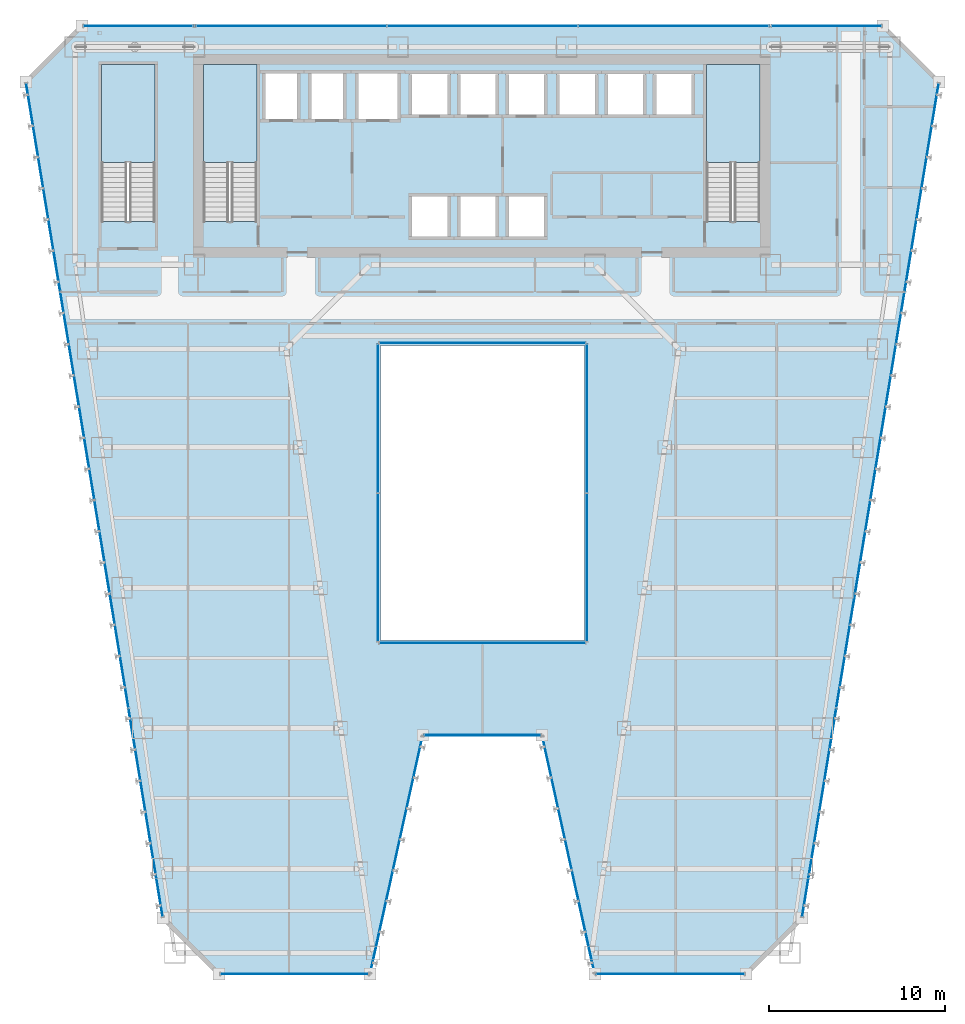
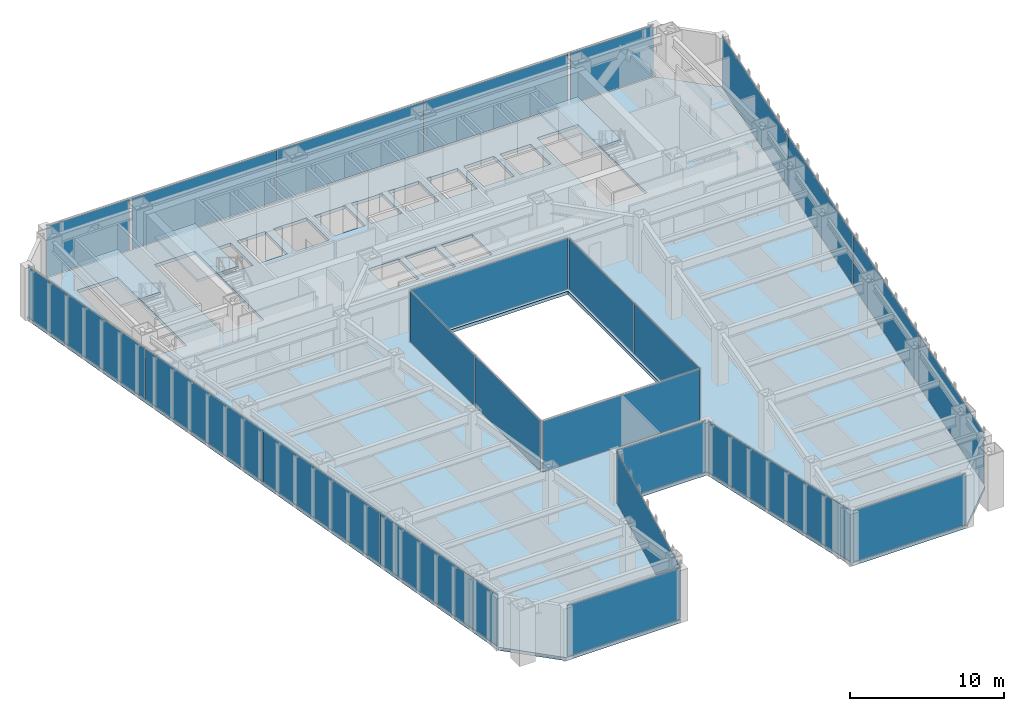
# One storey, part 34 of 49: 24 plates, 4 slabs, 17 elements without a shape of their own.
"""IFC4 building model written with IfcOpenShell, lengths in metres."""

from ifc_helpers import new_model, si_unit, direction, frame, origin, origin_2d, place, context, subcontext, project, spatial, polyline, rectangle, outline, extrude, material, layer, layer_set, type_object, element, aggregate, save


model = new_model("IFC4")

# Units and contexts
model_context = context("Model", 3, precision=1e-05, world=origin(), true_north=direction((0.0, 1.0)))
body_context = subcontext(model_context, "Body", "Model", "MODEL_VIEW")
ifc_project = project(units=[si_unit("LENGTHUNIT", "METRE"), si_unit("AREAUNIT", "SQUARE_METRE"), si_unit("VOLUMEUNIT", "CUBIC_METRE"), si_unit("PLANEANGLEUNIT", "RADIAN"), si_unit("MASSUNIT", "GRAM", prefix="KILO")], contexts=[model_context])

# Site, building, storey
site_placement = place(None, origin())
site = spatial("IfcSite", under=ifc_project, at=site_placement, CompositionType="ELEMENT")
building_placement = place(site_placement, origin())
building = spatial("IfcBuilding", under=site, at=building_placement, Name="Saevonmaru Cultural Tower", CompositionType="ELEMENT")
storey_placement = place(building_placement, frame((0.0, 0.0, 73.60009765625)))
storey = spatial("IfcBuildingStorey", under=building, at=storey_placement, Name="L15", CompositionType="ELEMENT", Elevation=73.60009765625)

# Curtain wall, plate
ifc_material_1 = material(Name="Satin Bronze Anodised Aluminium", Category="aluminium")
curtain_wall_type_1 = type_object("IfcCurtainWallType", Name="CW-ATR-GLZ", PredefinedType="NOTDEFINED", material=ifc_material_1)
curtain_wall_1_placement = place(storey_placement, origin())
curtain_wall_1 = element("IfcCurtainWall", 1, at=curtain_wall_1_placement, inside=storey, type_object=curtain_wall_type_1, Name="L15 Vertical Atrium Glazed Smoke Screen 1", PredefinedType="NOTDEFINED")
ifc_material_2 = material(Name="Fire-Rated Laminated Atrium Glass", Category="glass")
ifc_layer_1 = layer(ifc_material_2, 0.031982421875, Name="Fire-Rated Laminated Atrium Glass")
ifc_layer_set_1 = layer_set([ifc_layer_1], Name="Fire-Rated Laminated Atrium Glass")
plate_type_1 = type_object("IfcPlateType", Name="PN-GLZ-ATR-INT", PredefinedType="CURTAIN_PANEL", material=ifc_layer_set_1)
plate_1_placement = place(storey_placement, frame((30.0, 20.85009765625, 0.06689453125), z_axis=(0.0, 0.0, 1.0), x_axis=(1.0, 0.0, 0.0)))
plate_1 = element("IfcPlate", 2, at=plate_1_placement, type_object=plate_type_1, Name="CW-ATR-L15-1 panel 1.1", PredefinedType="CURTAIN_PANEL", context=body_context, shape_type="SweptSolid", body=[
    extrude(rectangle(XDim=11.7109375, YDim=0.031982421875, at=origin_2d()), origin(), (0.0, 0.0, 1.0), 4.01611328125),
])
aggregate(curtain_wall_1, [plate_1])

# Curtain wall, plates
curtain_wall_2_placement = place(storey_placement, origin())
curtain_wall_2 = element("IfcCurtainWall", 3, at=curtain_wall_2_placement, inside=storey, type_object=curtain_wall_type_1, Name="L15 Vertical Atrium Glazed Smoke Screen 2", PredefinedType="NOTDEFINED")
plate_2_placement = place(storey_placement, frame((35.949951171875, 25.155029296875, 0.06689453125), z_axis=(0.0, 0.0, 1.0), x_axis=(0.0, 1.0, 0.0)))
plate_2 = element("IfcPlate", 4, at=plate_2_placement, type_object=plate_type_1, Name="CW-ATR-L15-2 panel 1.1", PredefinedType="CURTAIN_PANEL", context=body_context, shape_type="SweptSolid", body=[
    extrude(rectangle(XDim=8.4208984375, YDim=0.031982421875, at=origin_2d()), origin(), (0.0, 0.0, 1.0), 4.01611328125),
])
plate_3_placement = place(storey_placement, frame((35.949951171875, 33.64501953125, 0.06689453125), z_axis=(0.0, 0.0, 1.0), x_axis=(0.0, 1.0, 0.0)))
plate_3 = element("IfcPlate", 5, at=plate_3_placement, type_object=plate_type_1, Name="CW-ATR-L15-2 panel 2.1", PredefinedType="CURTAIN_PANEL", context=body_context, shape_type="SweptSolid", body=[
    extrude(rectangle(XDim=8.4208984375, YDim=0.031982421875, at=origin_2d()), origin(), (0.0, 0.0, 1.0), 4.01611328125),
])
aggregate(curtain_wall_2, [plate_2, plate_3])

# Curtain wall, plate
curtain_wall_3_placement = place(storey_placement, origin())
curtain_wall_3 = element("IfcCurtainWall", 6, at=curtain_wall_3_placement, inside=storey, type_object=curtain_wall_type_1, Name="L15 Vertical Atrium Glazed Smoke Screen 3", PredefinedType="NOTDEFINED")
plate_4_placement = place(storey_placement, frame((30.0, 37.949951171875, 0.06689453125), z_axis=(0.0, 0.0, 1.0), x_axis=(-1.0, 0.0, 0.0)))
plate_4 = element("IfcPlate", 7, at=plate_4_placement, type_object=plate_type_1, Name="CW-ATR-L15-3 panel 1.1", PredefinedType="CURTAIN_PANEL", context=body_context, shape_type="SweptSolid", body=[
    extrude(rectangle(XDim=11.7109375, YDim=0.031982421875, at=origin_2d()), origin(), (0.0, 0.0, 1.0), 4.01611328125),
])
aggregate(curtain_wall_3, [plate_4])

# Curtain wall, plates
curtain_wall_4_placement = place(storey_placement, origin())
curtain_wall_4 = element("IfcCurtainWall", 8, at=curtain_wall_4_placement, inside=storey, type_object=curtain_wall_type_1, Name="L15 Vertical Atrium Glazed Smoke Screen 4", PredefinedType="NOTDEFINED")
plate_5_placement = place(storey_placement, frame((24.050048828125, 33.64501953125, 0.06689453125), z_axis=(0.0, 0.0, 1.0), x_axis=(0.0, -1.0, 0.0)))
plate_5 = element("IfcPlate", 9, at=plate_5_placement, type_object=plate_type_1, Name="CW-ATR-L15-4 panel 1.1", PredefinedType="CURTAIN_PANEL", context=body_context, shape_type="SweptSolid", body=[
    extrude(rectangle(XDim=8.4208984375, YDim=0.031982421875, at=origin_2d()), origin(), (0.0, 0.0, 1.0), 4.01611328125),
])
plate_6_placement = place(storey_placement, frame((24.050048828125, 25.155029296875, 0.06689453125), z_axis=(0.0, 0.0, 1.0), x_axis=(0.0, -1.0, 0.0)))
plate_6 = element("IfcPlate", 10, at=plate_6_placement, type_object=plate_type_1, Name="CW-ATR-L15-4 panel 2.1", PredefinedType="CURTAIN_PANEL", context=body_context, shape_type="SweptSolid", body=[
    extrude(rectangle(XDim=8.4208984375, YDim=0.031982421875, at=origin_2d()), origin(), (0.0, 0.0, 1.0), 4.01611328125),
])
aggregate(curtain_wall_4, [plate_5, plate_6])

# Curtain wall, plate
curtain_wall_type_2 = type_object("IfcCurtainWallType", Name="CW-TYP-A", PredefinedType="NOTDEFINED", material=ifc_material_1)
curtain_wall_5_placement = place(storey_placement, origin())
curtain_wall_5 = element("IfcCurtainWall", 11, at=curtain_wall_5_placement, inside=storey, type_object=curtain_wall_type_2, Name="L15 Unitised Curtain Wall E2", PredefinedType="NOTDEFINED")
ifc_material_3 = material(Name="Triple Silver Low-E Insulating Glass", Category="glass")
ifc_layer_2 = layer(ifc_material_3, 0.035888671875, Name="Triple Silver Low-E Insulating Glass")
ifc_layer_set_2 = layer_set([ifc_layer_2], Name="Triple Silver Low-E Insulating Glass")
plate_type_2 = type_object("IfcPlateType", Name="PN-GLZ-IGU", PredefinedType="CURTAIN_PANEL", material=ifc_layer_set_2)
plate_7_placement = place(storey_placement, frame((19.300048828125, 2.0, 0.06689453125), z_axis=(0.0, 0.0, 1.0), x_axis=(1.0, 0.0, 0.0)))
plate_7 = element("IfcPlate", 12, at=plate_7_placement, type_object=plate_type_2, Name="CW-TW-L15-E2 panel 1.1", PredefinedType="CURTAIN_PANEL", context=body_context, shape_type="SweptSolid", body=[
    extrude(rectangle(XDim=8.410888671875, YDim=0.035888671875, at=origin_2d()), origin(), (0.0, 0.0, 1.0), 4.01611328125),
])
aggregate(curtain_wall_5, [plate_7])

curtain_wall_6_placement = place(storey_placement, origin())
curtain_wall_6 = element("IfcCurtainWall", 13, at=curtain_wall_6_placement, inside=storey, type_object=curtain_wall_type_2, Name="L15 Unitised Curtain Wall E3", PredefinedType="NOTDEFINED")
plate_8_placement = place(storey_placement, frame((25.10009765625, 8.800048828125, 0.06689453125), z_axis=(0.0, 0.0, 1.0), x_axis=(0.215413319953, 0.976522965212, 0.0)))
plate_8 = element("IfcPlate", 14, at=plate_8_placement, type_object=plate_type_2, Name="CW-TW-L15-E3 panel 1.1", PredefinedType="CURTAIN_PANEL", context=body_context, shape_type="SweptSolid", body=[
    extrude(rectangle(XDim=13.738037109375, YDim=0.035888671875, at=origin_2d()), origin(), (0.0, 0.0, 1.0), 4.01611328125),
])
aggregate(curtain_wall_6, [plate_8])

curtain_wall_7_placement = place(storey_placement, origin())
curtain_wall_7 = element("IfcCurtainWall", 15, at=curtain_wall_7_placement, inside=storey, type_object=curtain_wall_type_2, Name="L15 Unitised Curtain Wall E4", PredefinedType="NOTDEFINED")
plate_9_placement = place(storey_placement, frame((30.0, 15.60009765625, 0.06689453125), z_axis=(0.0, 0.0, 1.0), x_axis=(1.0, 0.0, 0.0)))
plate_9 = element("IfcPlate", 16, at=plate_9_placement, type_object=plate_type_2, Name="CW-TW-L15-E4 panel 1.1", PredefinedType="CURTAIN_PANEL", context=body_context, shape_type="SweptSolid", body=[
    extrude(rectangle(XDim=6.611083984375, YDim=0.035888671875, at=origin_2d()), origin(), (0.0, 0.0, 1.0), 4.01611328125),
])
aggregate(curtain_wall_7, [plate_9])

curtain_wall_8_placement = place(storey_placement, origin())
curtain_wall_8 = element("IfcCurtainWall", 17, at=curtain_wall_8_placement, inside=storey, type_object=curtain_wall_type_2, Name="L15 Unitised Curtain Wall E5", PredefinedType="NOTDEFINED")
plate_10_placement = place(storey_placement, frame((34.89990234375, 8.800048828125, 0.06689453125), z_axis=(0.0, 0.0, 1.0), x_axis=(0.215413319953, -0.976522965212, 0.0)))
plate_10 = element("IfcPlate", 18, at=plate_10_placement, type_object=plate_type_2, Name="CW-TW-L15-E5 panel 1.1", PredefinedType="CURTAIN_PANEL", context=body_context, shape_type="SweptSolid", body=[
    extrude(rectangle(XDim=13.738037109375, YDim=0.035888671875, at=origin_2d()), origin(), (0.0, 0.0, 1.0), 4.01611328125),
])
aggregate(curtain_wall_8, [plate_10])

curtain_wall_9_placement = place(storey_placement, origin())
curtain_wall_9 = element("IfcCurtainWall", 19, at=curtain_wall_9_placement, inside=storey, type_object=curtain_wall_type_2, Name="L15 Unitised Curtain Wall E6", PredefinedType="NOTDEFINED")
plate_11_placement = place(storey_placement, frame((40.699951171875, 2.0, 0.06689453125), z_axis=(0.0, 0.0, 1.0), x_axis=(1.0, 0.0, 0.0)))
plate_11 = element("IfcPlate", 20, at=plate_11_placement, type_object=plate_type_2, Name="CW-TW-L15-E6 panel 1.1", PredefinedType="CURTAIN_PANEL", context=body_context, shape_type="SweptSolid", body=[
    extrude(rectangle(XDim=8.410888671875, YDim=0.035888671875, at=origin_2d()), origin(), (0.0, 0.0, 1.0), 4.01611328125),
])
aggregate(curtain_wall_9, [plate_11])

# Curtain wall, plates
curtain_wall_10_placement = place(storey_placement, origin())
curtain_wall_10 = element("IfcCurtainWall", 21, at=curtain_wall_10_placement, inside=storey, type_object=curtain_wall_type_2, Name="L15 Unitised Curtain Wall E8", PredefinedType="NOTDEFINED")
plate_12_placement = place(storey_placement, frame((49.182373046875, 11.1943359375, 0.06689453125), z_axis=(0.0, 0.0, 1.0), x_axis=(0.161708868641, 0.986838508472, 0.0)))
plate_12 = element("IfcPlate", 22, at=plate_12_placement, type_object=plate_type_2, Name="CW-TW-L15-E8 panel 1.1", PredefinedType="CURTAIN_PANEL", context=body_context, shape_type="SweptSolid", body=[
    extrude(rectangle(XDim=11.959716796875, YDim=0.035888671875, at=origin_2d()), origin(), (0.0, 0.0, 1.0), 4.01611328125),
])
plate_13_placement = place(storey_placement, frame((51.12744140625, 23.064697265625, 0.06689453125), z_axis=(0.0, 0.0, 1.0), x_axis=(0.161708868641, 0.986838508472, 0.0)))
plate_13 = element("IfcPlate", 23, at=plate_13_placement, type_object=plate_type_2, Name="CW-TW-L15-E8 panel 2.1", PredefinedType="CURTAIN_PANEL", context=body_context, shape_type="SweptSolid", body=[
    extrude(rectangle(XDim=11.959716796875, YDim=0.035888671875, at=origin_2d()), origin(), (0.0, 0.0, 1.0), 4.01611328125),
])
plate_14_placement = place(storey_placement, frame((53.072509765625, 34.935302734375, 0.06689453125), z_axis=(0.0, 0.0, 1.0), x_axis=(0.161708868641, 0.986838508472, 0.0)))
plate_14 = element("IfcPlate", 24, at=plate_14_placement, type_object=plate_type_2, Name="CW-TW-L15-E8 panel 3.1", PredefinedType="CURTAIN_PANEL", context=body_context, shape_type="SweptSolid", body=[
    extrude(rectangle(XDim=11.959716796875, YDim=0.035888671875, at=origin_2d()), origin(), (0.0, 0.0, 1.0), 4.01611328125),
])
plate_15_placement = place(storey_placement, frame((55.017822265625, 46.8056640625, 0.06689453125), z_axis=(0.0, 0.0, 1.0), x_axis=(0.161708868641, 0.986838508472, 0.0)))
plate_15 = element("IfcPlate", 25, at=plate_15_placement, type_object=plate_type_2, Name="CW-TW-L15-E8 panel 4.1", PredefinedType="CURTAIN_PANEL", context=body_context, shape_type="SweptSolid", body=[
    extrude(rectangle(XDim=11.959716796875, YDim=0.035888671875, at=origin_2d()), origin(), (0.0, 0.0, 1.0), 4.01611328125),
])
aggregate(curtain_wall_10, [plate_12, plate_13, plate_14, plate_15])

curtain_wall_11_placement = place(storey_placement, origin())
curtain_wall_11 = element("IfcCurtainWall", 26, at=curtain_wall_11_placement, inside=storey, type_object=curtain_wall_type_2, Name="L15 North Spine Unitised Curtain Wall E10B", PredefinedType="NOTDEFINED")
plate_16_placement = place(storey_placement, frame((40.893310546875, 56.0, 0.06689453125), z_axis=(0.0, 0.0, 1.0), x_axis=(-1.0, 0.0, 0.0)))
plate_16 = element("IfcPlate", 27, at=plate_16_placement, type_object=plate_type_2, Name="CW-TW-L15-E10B panel 1.1", PredefinedType="CURTAIN_PANEL", context=body_context, shape_type="SweptSolid", body=[
    extrude(rectangle(XDim=10.82421875, YDim=0.035888671875, at=origin_2d()), origin(), (0.0, 0.0, 1.0), 4.01611328125),
])
plate_17_placement = place(storey_placement, frame((30.0, 56.0, 0.06689453125), z_axis=(0.0, 0.0, 1.0), x_axis=(-1.0, 0.0, 0.0)))
plate_17 = element("IfcPlate", 28, at=plate_17_placement, type_object=plate_type_2, Name="CW-TW-L15-E10B panel 2.1", PredefinedType="CURTAIN_PANEL", context=body_context, shape_type="SweptSolid", body=[
    extrude(rectangle(XDim=10.82421875, YDim=0.035888671875, at=origin_2d()), origin(), (0.0, 0.0, 1.0), 4.01611328125),
])
plate_18_placement = place(storey_placement, frame((19.106689453125, 56.0, 0.06689453125), z_axis=(0.0, 0.0, 1.0), x_axis=(-1.0, 0.0, 0.0)))
plate_18 = element("IfcPlate", 29, at=plate_18_placement, type_object=plate_type_2, Name="CW-TW-L15-E10B panel 3.1", PredefinedType="CURTAIN_PANEL", context=body_context, shape_type="SweptSolid", body=[
    extrude(rectangle(XDim=10.82421875, YDim=0.035888671875, at=origin_2d()), origin(), (0.0, 0.0, 1.0), 4.01611328125),
])
aggregate(curtain_wall_11, [plate_16, plate_17, plate_18])

curtain_wall_12_placement = place(storey_placement, origin())
curtain_wall_12 = element("IfcCurtainWall", 30, at=curtain_wall_12_placement, inside=storey, type_object=curtain_wall_type_2, Name="L15 Unitised Curtain Wall E12", PredefinedType="NOTDEFINED")
plate_19_placement = place(storey_placement, frame((4.982177734375, 46.8056640625, 0.06689453125), z_axis=(0.0, 0.0, 1.0), x_axis=(0.161708868641, -0.986838508472, 0.0)))
plate_19 = element("IfcPlate", 31, at=plate_19_placement, type_object=plate_type_2, Name="CW-TW-L15-E12 panel 1.1", PredefinedType="CURTAIN_PANEL", context=body_context, shape_type="SweptSolid", body=[
    extrude(rectangle(XDim=11.959716796875, YDim=0.035888671875, at=origin_2d()), origin(), (0.0, 0.0, 1.0), 4.01611328125),
])
plate_20_placement = place(storey_placement, frame((6.927490234375, 34.935302734375, 0.06689453125), z_axis=(0.0, 0.0, 1.0), x_axis=(0.161708868641, -0.986838508472, 0.0)))
plate_20 = element("IfcPlate", 32, at=plate_20_placement, type_object=plate_type_2, Name="CW-TW-L15-E12 panel 2.1", PredefinedType="CURTAIN_PANEL", context=body_context, shape_type="SweptSolid", body=[
    extrude(rectangle(XDim=11.959716796875, YDim=0.035888671875, at=origin_2d()), origin(), (0.0, 0.0, 1.0), 4.01611328125),
])
plate_21_placement = place(storey_placement, frame((8.87255859375, 23.064697265625, 0.06689453125), z_axis=(0.0, 0.0, 1.0), x_axis=(0.161708868641, -0.986838508472, 0.0)))
plate_21 = element("IfcPlate", 33, at=plate_21_placement, type_object=plate_type_2, Name="CW-TW-L15-E12 panel 3.1", PredefinedType="CURTAIN_PANEL", context=body_context, shape_type="SweptSolid", body=[
    extrude(rectangle(XDim=11.959716796875, YDim=0.035888671875, at=origin_2d()), origin(), (0.0, 0.0, 1.0), 4.01611328125),
])
plate_22_placement = place(storey_placement, frame((10.817626953125, 11.1943359375, 0.06689453125), z_axis=(0.0, 0.0, 1.0), x_axis=(0.161708868641, -0.986838508472, 0.0)))
plate_22 = element("IfcPlate", 34, at=plate_22_placement, type_object=plate_type_2, Name="CW-TW-L15-E12 panel 4.1", PredefinedType="CURTAIN_PANEL", context=body_context, shape_type="SweptSolid", body=[
    extrude(rectangle(XDim=11.959716796875, YDim=0.035888671875, at=origin_2d()), origin(), (0.0, 0.0, 1.0), 4.01611328125),
])
aggregate(curtain_wall_12, [plate_19, plate_20, plate_21, plate_22])

# Curtain wall, plate
curtain_wall_13_placement = place(storey_placement, origin())
curtain_wall_13 = element("IfcCurtainWall", 35, at=curtain_wall_13_placement, inside=storey, type_object=curtain_wall_type_2, Name="L15 East Braced Bay Spandrel Curtain Wall E10A", PredefinedType="NOTDEFINED")
ifc_material_4 = material(Name="Insulated Satin Bronze Aluminium Spandrel Panel", Category="aluminium")
ifc_layer_3 = layer(ifc_material_4, 0.0400390625, Name="Insulated Satin Bronze Aluminium Spandrel Panel")
ifc_layer_set_3 = layer_set([ifc_layer_3], Name="Insulated Satin Bronze Aluminium Spandrel Panel")
plate_type_3 = type_object("IfcPlateType", Name="PN-SPANDREL-BRONZE", PredefinedType="CURTAIN_PANEL", material=ifc_layer_set_3)
plate_23_placement = place(storey_placement, frame((49.60009765625, 56.0, 0.06689453125), z_axis=(0.0, 0.0, 1.0), x_axis=(-1.0, 0.0, 0.0)))
plate_23 = element("IfcPlate", 36, at=plate_23_placement, type_object=plate_type_3, Name="CW-TW-L15-E10A panel 1.1", PredefinedType="CURTAIN_PANEL", context=body_context, shape_type="SweptSolid", body=[
    extrude(rectangle(XDim=6.2109375, YDim=0.035888671875, at=origin_2d()), origin(), (0.0, 0.0, 1.0), 4.01611328125),
])
aggregate(curtain_wall_13, [plate_23])

curtain_wall_14_placement = place(storey_placement, origin())
curtain_wall_14 = element("IfcCurtainWall", 37, at=curtain_wall_14_placement, inside=storey, type_object=curtain_wall_type_2, Name="L15 West Braced Bay Spandrel Curtain Wall E10C", PredefinedType="NOTDEFINED")
plate_24_placement = place(storey_placement, frame((10.39990234375, 56.0, 0.06689453125), z_axis=(0.0, 0.0, 1.0), x_axis=(-1.0, 0.0, 0.0)))
plate_24 = element("IfcPlate", 38, at=plate_24_placement, type_object=plate_type_3, Name="CW-TW-L15-E10C panel 1.1", PredefinedType="CURTAIN_PANEL", context=body_context, shape_type="SweptSolid", body=[
    extrude(rectangle(XDim=6.2109375, YDim=0.035888671875, at=origin_2d()), origin(), (0.0, 0.0, 1.0), 4.01611328125),
])
aggregate(curtain_wall_14, [plate_24])

# Slab
ifc_material_5 = material(Name="Concrete C40/50", Category="concrete")
ifc_layer_4 = layer(ifc_material_5, 0.25, Name="Concrete C40/50")
ifc_layer_set_4 = layer_set([ifc_layer_4], Name="Concrete C40/50")
slab_type_1 = type_object("IfcSlabType", Name="SL-FLR-250", PredefinedType="FLOOR", material=ifc_layer_set_4)
slab_1_placement = place(storey_placement, frame((0.0, 0.0, -0.25)))
element("IfcSlab", 39, at=slab_1_placement, inside=storey, type_object=slab_type_1, Name="L15 Tower Structural Floor Slab", PredefinedType="FLOOR", context=body_context, shape_type="SweptSolid", body=[
    extrude(outline(polyline([(11.800048828125, 5.199951171875), (15.0, 2.0), (23.60009765625, 2.0), (26.60009765625, 15.60009765625), (33.39990234375, 15.60009765625), (36.39990234375, 2.0), (45.0, 2.0), (48.199951171875, 5.199951171875), (56.0, 52.800048828125), (52.800048828125, 56.0), (7.199951171875, 56.0), (4.0, 52.800048828125), (11.800048828125, 5.199951171875)]), holes=[polyline([(45.800048828125, 44.875), (42.75, 44.875), (42.75, 53.800048828125), (45.800048828125, 53.800048828125), (45.800048828125, 44.875)]), polyline([(39.75, 50.800048828125), (39.75, 53.39990234375), (42.050048828125, 53.39990234375), (42.050048828125, 50.800048828125), (39.75, 50.800048828125)]), polyline([(37.0, 50.800048828125), (37.0, 53.39990234375), (39.300048828125, 53.39990234375), (39.300048828125, 50.800048828125), (37.0, 50.800048828125)]), polyline([(34.25, 50.800048828125), (34.25, 53.39990234375), (36.550048828125, 53.39990234375), (36.550048828125, 50.800048828125), (34.25, 50.800048828125)]), polyline([(24.199951171875, 21.0), (24.199951171875, 37.800048828125), (35.800048828125, 37.800048828125), (35.800048828125, 21.0), (24.199951171875, 21.0)]), polyline([(31.35009765625, 50.800048828125), (31.35009765625, 53.39990234375), (33.64990234375, 53.39990234375), (33.64990234375, 50.800048828125), (31.35009765625, 50.800048828125)]), polyline([(31.35009765625, 43.85009765625), (31.35009765625, 46.449951171875), (33.64990234375, 46.449951171875), (33.64990234375, 43.85009765625), (31.35009765625, 43.85009765625)]), polyline([(28.60009765625, 43.85009765625), (28.60009765625, 46.449951171875), (30.89990234375, 46.449951171875), (30.89990234375, 43.85009765625), (28.60009765625, 43.85009765625)]), polyline([(28.60009765625, 50.800048828125), (28.60009765625, 53.39990234375), (30.89990234375, 53.39990234375), (30.89990234375, 50.800048828125), (28.60009765625, 50.800048828125)]), polyline([(25.85009765625, 50.800048828125), (25.85009765625, 53.39990234375), (28.14990234375, 53.39990234375), (28.14990234375, 50.800048828125), (25.85009765625, 50.800048828125)]), polyline([(25.85009765625, 43.85009765625), (25.85009765625, 46.449951171875), (28.14990234375, 46.449951171875), (28.14990234375, 43.85009765625), (25.85009765625, 43.85009765625)]), polyline([(22.800048828125, 50.550048828125), (22.800048828125, 53.449951171875), (25.300048828125, 53.449951171875), (25.300048828125, 50.550048828125), (22.800048828125, 50.550048828125)]), polyline([(20.10009765625, 50.550048828125), (20.10009765625, 53.449951171875), (22.199951171875, 53.449951171875), (22.199951171875, 50.550048828125), (20.10009765625, 50.550048828125)]), polyline([(17.5, 50.550048828125), (17.5, 53.449951171875), (19.60009765625, 53.449951171875), (19.60009765625, 50.550048828125), (17.5, 50.550048828125)]), polyline([(17.14990234375, 44.875), (14.10009765625, 44.875), (14.10009765625, 53.800048828125), (17.14990234375, 53.800048828125), (17.14990234375, 44.875)]), polyline([(11.35009765625, 44.875), (8.300048828125, 44.875), (8.300048828125, 53.800048828125), (11.35009765625, 53.800048828125), (11.35009765625, 44.875)])]), origin(), (0.0, 0.0, 1.0), 0.25),
])

# Stair, slab
stair_type = type_object("IfcStairType", Name="STR-DOGLEG-RC", PredefinedType="HALF_TURN_STAIR", material=ifc_material_5)
stair_1_placement = place(storey_placement, origin())
stair_1 = element("IfcStair", 40, at=stair_1_placement, inside=storey, type_object=stair_type, Name="L15 Protected exit stair ST-1", PredefinedType="HALF_TURN_STAIR")
ifc_layer_5 = layer(ifc_material_5, 0.199951171875, Name="Concrete C40/50")
ifc_layer_set_5 = layer_set([ifc_layer_5], Name="Concrete C40/50")
slab_type_2 = type_object("IfcSlabType", Name="SL-STAIR-LANDING", PredefinedType="LANDING", material=ifc_layer_set_5)
slab_2_placement = place(storey_placement, frame((0.0, 0.0, 2.0)))
slab_2 = element("IfcSlab", 41, at=slab_2_placement, type_object=slab_type_2, Name="ST-1-L15 landing 1", PredefinedType="LANDING", context=body_context, shape_type="SweptSolid", body=[
    extrude(outline(polyline([(17.14990234375, 48.2099609375), (17.14990234375, 53.800048828125), (14.10009765625, 53.800048828125), (14.10009765625, 48.2099609375), (17.14990234375, 48.2099609375)])), origin(), (0.0, 0.0, 1.0), 0.199951171875),
])
aggregate(stair_1, [slab_2])

stair_2_placement = place(storey_placement, origin())
stair_2 = element("IfcStair", 42, at=stair_2_placement, inside=storey, type_object=stair_type, Name="L15 Protected exit stair ST-2", PredefinedType="HALF_TURN_STAIR")
slab_3_placement = place(storey_placement, frame((0.0, 0.0, 2.0)))
slab_3 = element("IfcSlab", 43, at=slab_3_placement, type_object=slab_type_2, Name="ST-2-L15 landing 1", PredefinedType="LANDING", context=body_context, shape_type="SweptSolid", body=[
    extrude(outline(polyline([(45.800048828125, 48.2099609375), (45.800048828125, 53.800048828125), (42.75, 53.800048828125), (42.75, 48.2099609375), (45.800048828125, 48.2099609375)])), origin(), (0.0, 0.0, 1.0), 0.199951171875),
])
aggregate(stair_2, [slab_3])

stair_3_placement = place(storey_placement, origin())
stair_3 = element("IfcStair", 44, at=stair_3_placement, inside=storey, type_object=stair_type, Name="L15 Protected exit stair ST-3", PredefinedType="HALF_TURN_STAIR")
slab_4_placement = place(storey_placement, frame((0.0, 0.0, 2.0)))
slab_4 = element("IfcSlab", 45, at=slab_4_placement, type_object=slab_type_2, Name="ST-3-L15 landing 1", PredefinedType="LANDING", context=body_context, shape_type="SweptSolid", body=[
    extrude(outline(polyline([(11.35009765625, 48.2099609375), (11.35009765625, 53.800048828125), (8.300048828125, 53.800048828125), (8.300048828125, 48.2099609375), (11.35009765625, 48.2099609375)])), origin(), (0.0, 0.0, 1.0), 0.199951171875),
])
aggregate(stair_3, [slab_4])

save(model, "model.ifc")
